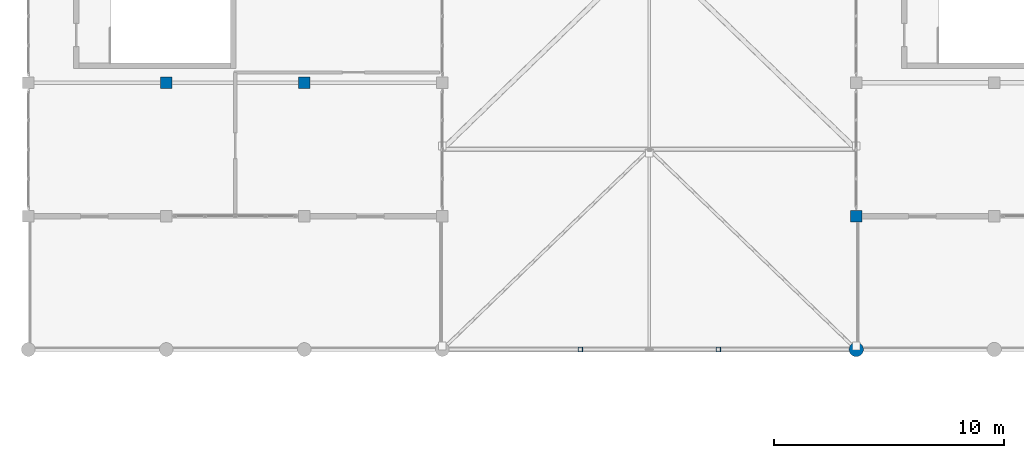
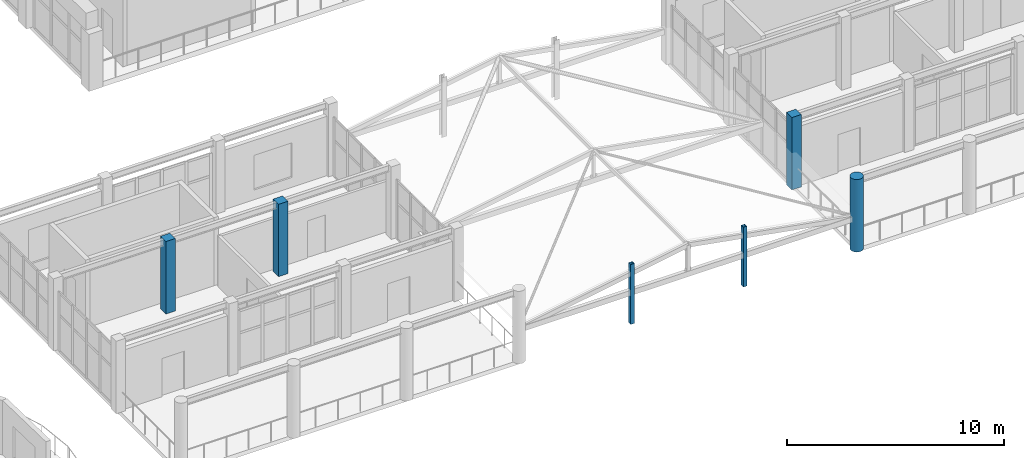
# One storey, part 2 of 128: 6 columns.
"""IFC4 building model written with IfcOpenShell, lengths in metres."""

from ifc_helpers import new_model, si_unit, direction, frame, origin, origin_2d, place, context, subcontext, project, spatial, rectangle, hollow_rectangle, circle, extrude, material, material_profile, profile_set, type_object, element, save


model = new_model("IFC4")

# Units and contexts
model_context = context("Model", 3, precision=1e-05, world=origin(), true_north=direction((0.0, 1.0)))
body_context = subcontext(model_context, "Body", "Model", "MODEL_VIEW")
ifc_project = project(units=[si_unit("LENGTHUNIT", "METRE"), si_unit("AREAUNIT", "SQUARE_METRE"), si_unit("VOLUMEUNIT", "CUBIC_METRE"), si_unit("PLANEANGLEUNIT", "RADIAN"), si_unit("MASSUNIT", "GRAM", prefix="KILO")], contexts=[model_context])

# Site, building, storey
site_placement = place(None, origin())
site = spatial("IfcSite", under=ifc_project, at=site_placement, CompositionType="ELEMENT")
building_placement = place(site_placement, origin())
building = spatial("IfcBuilding", under=site, at=building_placement, Name="Tanwirah Colonnade Gardens", CompositionType="ELEMENT")
storey_placement = place(building_placement, frame((0.0, 0.0, 4.760009765625)))
storey = spatial("IfcBuildingStorey", under=building, at=storey_placement, Name="L01", CompositionType="ELEMENT", Elevation=4.760009765625)

# Columns
ifc_material_1 = material(Name="Precast concrete C40/50", Category="concrete")
ifc_material_profile_1 = material_profile(ifc_material_1, rectangle(XDim=0.5, YDim=0.5, at=origin_2d()), Name="PC-COL 500x500")
ifc_profile_set_1 = profile_set([ifc_material_profile_1], Name="Precast concrete C40/50")
column_type_1 = type_object("IfcColumnType", Name="C-PC500", PredefinedType="COLUMN", material=ifc_profile_set_1)
for number, where, z_axis, x_axis, name in (
    (1, (72.0, 22.39990234375, 0.0), (0.0, 0.0, 1.0), (1.0, 0.0, 0.0), "Boulevard Shops W L01 Column 1.2"),
    (2, (78.0, 22.39990234375, 0.0), (0.0, 0.0, 1.0), (1.0, 0.0, 0.0), "Boulevard Shops W L01 Column 2.2"),
    (3, (102.0, 16.60009765625, 0.0), (0.0, 0.0, 1.0), (1.0, 0.0, 0.0), "Boulevard Shops E L01 Column 0.1"),
):
    element("IfcColumn", number, at=place(storey_placement, frame(where, z_axis=z_axis, x_axis=x_axis)), inside=storey, type_object=column_type_1, Name=name, PredefinedType="COLUMN", context=body_context, shape_type="SweptSolid", body=[
        extrude(rectangle(XDim=0.5, YDim=0.5, at=origin_2d()), origin(), (0.0, 0.0, 1.0), 4.080078125),
    ])
ifc_material_profile_2 = material_profile(ifc_material_1, circle(Radius=0.31005859375, at=origin_2d()), Name="PC-DCOL D620")
ifc_profile_set_2 = profile_set([ifc_material_profile_2], Name="Precast concrete C40/50")
column_type_2 = type_object("IfcColumnType", Name="DCOL-550", PredefinedType="COLUMN", material=ifc_profile_set_2)
column_placement = place(storey_placement, frame((102.0, 10.800048828125, 0.0), z_axis=(0.0, 0.0, 1.0), x_axis=(1.0, 0.0, 0.0)))
element("IfcColumn", 4, at=column_placement, inside=storey, type_object=column_type_2, Name="Boulevard Shops E L01 Column 0.0", PredefinedType="COLUMN", context=body_context, shape_type="SweptSolid", body=[
    extrude(circle(Radius=0.31005859375, at=origin_2d()), origin(), (0.0, 0.0, 1.0), 4.080078125),
])
ifc_material_2 = material(Name="Steel S355", Category="steel")
ifc_material_profile_3 = material_profile(ifc_material_2, hollow_rectangle(XDim=0.199951171875, YDim=0.199951171875, WallThickness=0.012451171875, at=origin_2d()), Name="SHS 200x200x12.5")
ifc_profile_set_3 = profile_set([ifc_material_profile_3], Name="Steel S355")
column_type_3 = type_object("IfcColumnType", Name="SCOL-SHS200", PredefinedType="COLUMN", material=ifc_profile_set_3)
for number, where, z_axis, x_axis, name in (
    (5, (90.0, 10.800048828125, 0.0), (0.0, 0.0, 1.0), (1.0, 0.0, 0.0), "Forecourt Canopy Upper Steel Column 1.0"),
    (6, (96.0, 10.800048828125, 0.0), (0.0, 0.0, 1.0), (1.0, 0.0, 0.0), "Forecourt Canopy Upper Steel Column 2.0"),
):
    element("IfcColumn", number, at=place(storey_placement, frame(where, z_axis=z_axis, x_axis=x_axis)), inside=storey, type_object=column_type_3, Name=name, PredefinedType="COLUMN", context=body_context, shape_type="SweptSolid", body=[
        extrude(hollow_rectangle(XDim=0.199951171875, YDim=0.199951171875, WallThickness=0.012451171875, at=origin_2d()), origin(), (0.0, 0.0, 1.0), 3.369873046875),
    ])

save(model, "model.ifc")
